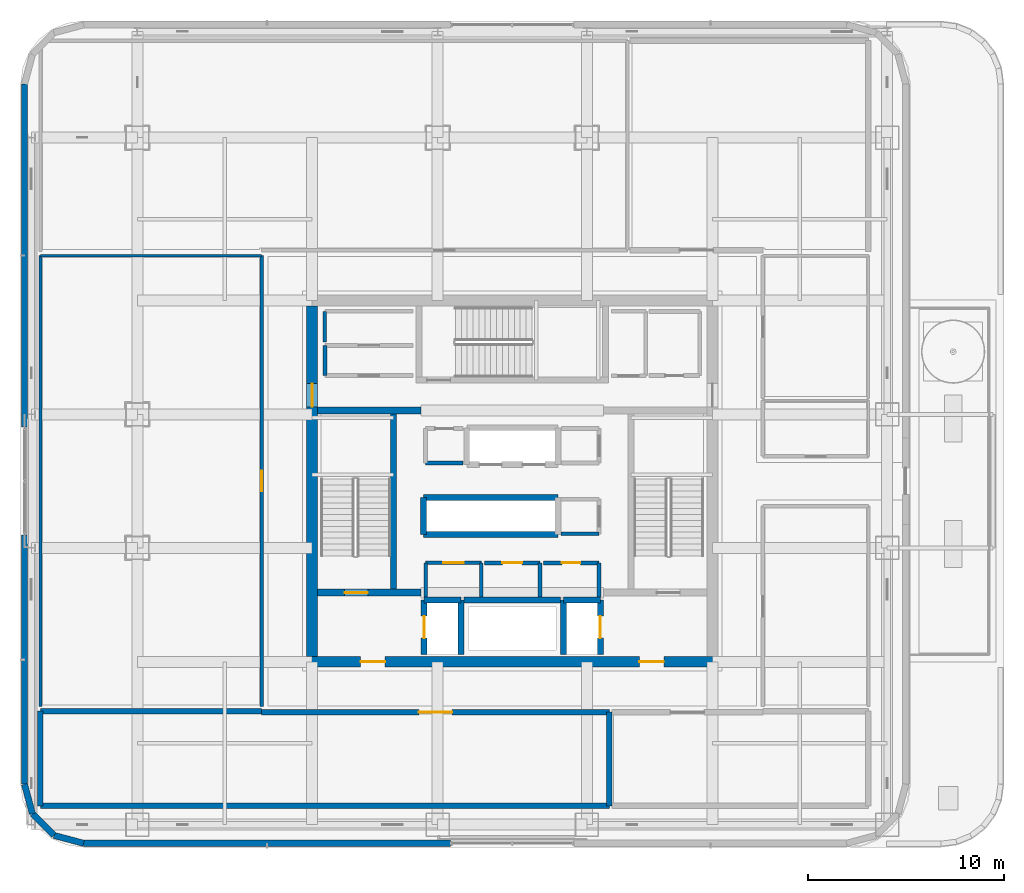
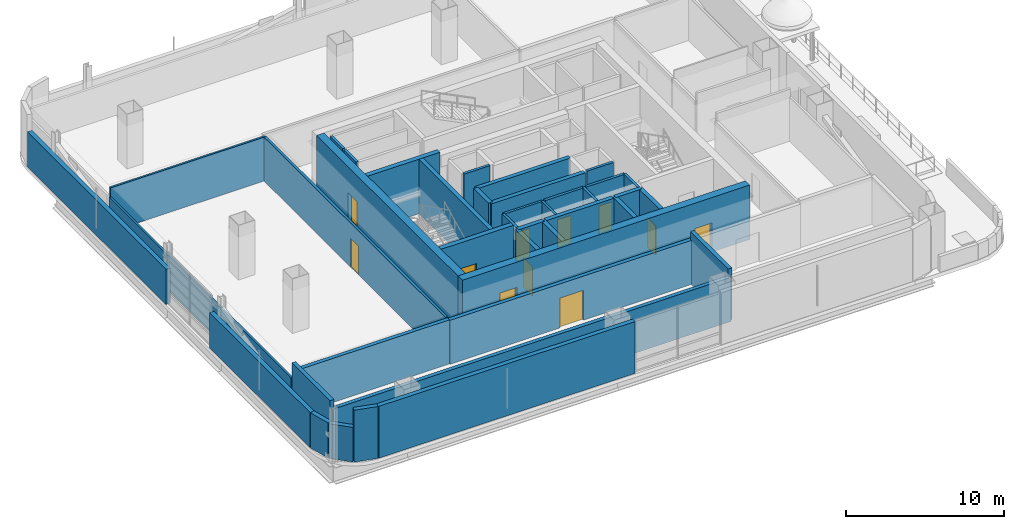
# One storey, part 12 of 31: 40 walls, 11 doors, 11 openings.
"""IFC4 building model written with IfcOpenShell, lengths in metres."""

from ifc_helpers import new_model, si_unit, direction, frame, frame_2d, origin, place, context, subcontext, project, spatial, rectangle, extrude, material, layer, layer_set, type_object, element, fill, save


model = new_model("IFC4")

# Units and contexts
model_context = context("Model", 3, precision=1e-05, world=origin(), true_north=direction((0.0, 1.0)))
body_context = subcontext(model_context, "Body", "Model", "MODEL_VIEW")
ifc_project = project(units=[si_unit("LENGTHUNIT", "METRE"), si_unit("AREAUNIT", "SQUARE_METRE"), si_unit("VOLUMEUNIT", "CUBIC_METRE"), si_unit("PLANEANGLEUNIT", "RADIAN"), si_unit("MASSUNIT", "GRAM", prefix="KILO")], contexts=[model_context])

# Site, building, storey
site_placement = place(None, origin())
site = spatial("IfcSite", under=ifc_project, at=site_placement, CompositionType="ELEMENT")
building_placement = place(site_placement, origin())
building = spatial("IfcBuilding", under=site, at=building_placement, Name="Punatoya Terracotta Tower", CompositionType="ELEMENT")
storey_placement = place(building_placement, frame((0.0, 0.0, 283.800048828125)))
storey = spatial("IfcBuildingStorey", under=building, at=storey_placement, Name="L67", CompositionType="ELEMENT", Elevation=283.800048828125)

# Wall, opening, door
ifc_material_1 = material(Name="Concrete C40/50", Category="concrete")
ifc_layer_1 = layer(ifc_material_1, 0.280029296875)
ifc_layer_set_1 = layer_set([ifc_layer_1], Name="Concrete C40/50")
wall_type_1 = type_object("IfcWallType", Name="WL-AUD-280", PredefinedType="SOLIDWALL", material=ifc_layer_set_1)
wall_1_placement = place(storey_placement, frame((-12.77001953125, -11.77001953125, 0.0), z_axis=(0.0, 0.0, 1.0), x_axis=(1.0, 0.0, 0.0)))
wall_1 = element("IfcWall", 1, at=wall_1_placement, inside=storey, type_object=wall_type_1, Name="L67 Client Dining Salon Partition 28", PredefinedType="SOLIDWALL", context=body_context, shape_type="SweptSolid", body=[
    extrude(rectangle(XDim=17.718017578125, YDim=0.280029296875, at=frame_2d((8.85888671875, 0.0))), origin(), (0.0, 0.0, 1.0), 3.39404296875),
])
opening_1_placement = place(wall_1_placement, frame((8.009033203125, 0.0, 0.0)))
opening_1 = element("IfcOpeningElement", 2, at=opening_1_placement, cuts=wall_1, Name="Opening FD-D1", PredefinedType="OPENING", context=body_context, shape_type="SweptSolid", body=[
    extrude(rectangle(XDim=1.699951171875, YDim=2.300048828125, at=frame_2d((0.85009765625, 1.14990234375))), frame((0.0, 0.14990234375, 0.0), z_axis=(0.0, -1.0, 0.0), x_axis=(1.0, 0.0, 0.0)), (0.0, 0.0, 1.0), 0.300048828125),
])
ifc_material_2 = material(Name="Timber Teak Veneer Fire Leaf", Category="wood")
door_type_1 = type_object("IfcDoorType", Name="DR-DIN-1700", OperationType="NOTDEFINED", PredefinedType="DOOR", material=ifc_material_2)
door_1_placement = place(opening_1_placement, origin())
door_1 = element("IfcDoor", 3, at=door_1_placement, inside=storey, type_object=door_type_1, Name="L67 Client Dining Salon Fire Door", OperationType="DOUBLE_DOOR_SINGLE_SWING", OverallHeight=2.300048828125, OverallWidth=1.699951171875, PredefinedType="DOOR", context=body_context, shape_type="SweptSolid", body=[
    extrude(rectangle(XDim=1.699951171875, YDim=2.300048828125, at=frame_2d((0.85009765625, 1.14990234375))), frame((0.0, 0.02490234375, 0.0), z_axis=(0.0, -1.0, 0.0), x_axis=(1.0, 0.0, 0.0)), (0.0, 0.0, 1.0), 0.050048828125),
])
fill(opening_1, door_1)

# Walls
wall_2_placement = place(storey_placement, frame((4.947998046875, -11.77001953125, 0.0), z_axis=(0.0, 0.0, 1.0), x_axis=(0.0, -1.0, 0.0)))
element("IfcWall", 4, at=wall_2_placement, inside=storey, type_object=wall_type_1, Name="L67 Client Dining Salon Partition 29", PredefinedType="SOLIDWALL", context=body_context, shape_type="SweptSolid", body=[
    extrude(rectangle(XDim=4.77001953125, YDim=0.280029296875, at=frame_2d((2.385009765625, 0.0))), origin(), (0.0, 0.0, 1.0), 4.0),
])
wall_3_placement = place(storey_placement, frame((4.947998046875, -16.5400390625, 0.0), z_axis=(0.0, 0.0, 1.0), x_axis=(-1.0, 0.0, 0.0)))
element("IfcWall", 5, at=wall_3_placement, inside=storey, type_object=wall_type_1, Name="L67 Client Dining Salon Partition 30", PredefinedType="SOLIDWALL", context=body_context, shape_type="SweptSolid", body=[
    extrude(rectangle(XDim=28.988037109375, YDim=0.280029296875, at=frame_2d((14.494140625, 0.0))), origin(), (0.0, 0.0, 1.0), 3.39404296875),
])
wall_4_placement = place(storey_placement, frame((-24.0400390625, -16.5400390625, 0.0), z_axis=(0.0, 0.0, 1.0), x_axis=(0.0, 1.0, 0.0)))
element("IfcWall", 6, at=wall_4_placement, inside=storey, type_object=wall_type_1, Name="L67 Client Dining Salon Partition 31", PredefinedType="SOLIDWALL", context=body_context, shape_type="SweptSolid", body=[
    extrude(rectangle(XDim=4.830078125, YDim=0.280029296875, at=frame_2d((2.4150390625, 0.0))), origin(), (0.0, 0.0, 1.0), 4.0),
])
wall_5_placement = place(storey_placement, frame((-24.0400390625, -11.7099609375, 0.0), z_axis=(0.0, 0.0, 1.0), x_axis=(1.0, 0.0, 0.0)))
element("IfcWall", 7, at=wall_5_placement, inside=storey, type_object=wall_type_1, Name="L67 Client Dining Salon Partition 32", PredefinedType="SOLIDWALL", context=body_context, shape_type="SweptSolid", body=[
    extrude(rectangle(XDim=11.27001953125, YDim=0.280029296875, at=frame_2d((5.635009765625, 0.0))), origin(), (0.0, 0.0, 1.0), 3.39404296875),
])

# Wall, openings, doors
ifc_material_3 = material(Name="Concrete C50/60", Category="concrete")
ifc_layer_2 = layer(ifc_material_3, 0.550048828125)
ifc_layer_set_2 = layer_set([ifc_layer_2], Name="Concrete C50/60")
wall_type_2 = type_object("IfcWallType", Name="WL-COR-550", PredefinedType="SHEAR", material=ifc_layer_set_2)
wall_6_placement = place(storey_placement, frame((10.47509765625, -9.199951171875, 0.0), z_axis=(0.0, 0.0, 1.0), x_axis=(-1.0, 0.0, 0.0)))
wall_6 = element("IfcWall", 8, at=wall_6_placement, inside=storey, type_object=wall_type_2, Name="L67 Core Shear Wall S", PredefinedType="SHEAR", context=body_context, shape_type="SweptSolid", body=[
    extrude(rectangle(XDim=20.9501953125, YDim=0.550048828125, at=frame_2d((10.47509765625, 0.0))), origin(), (0.0, 0.0, 1.0), 4.199951171875),
])
opening_2_placement = place(wall_6_placement, frame((2.75, 0.0, 0.0)))
opening_2 = element("IfcOpeningElement", 9, at=opening_2_placement, cuts=wall_6, Name="Opening FD-L1", PredefinedType="OPENING", context=body_context, shape_type="SweptSolid", body=[
    extrude(rectangle(XDim=1.25, YDim=2.25, at=frame_2d((0.625, 1.125))), frame((0.0, 0.284912109375, 0.0), z_axis=(0.0, -1.0, 0.0), x_axis=(1.0, 0.0, 0.0)), (0.0, 0.0, 1.0), 0.570068359375),
])
opening_3_placement = place(wall_6_placement, frame((16.949951171875, 0.0, 0.0)))
opening_3 = element("IfcOpeningElement", 10, at=opening_3_placement, cuts=wall_6, Name="Opening FD-L1", PredefinedType="OPENING", context=body_context, shape_type="SweptSolid", body=[
    extrude(rectangle(XDim=1.25, YDim=2.25, at=frame_2d((0.625, 1.125))), frame((0.0, 0.284912109375, 0.0), z_axis=(0.0, -1.0, 0.0), x_axis=(1.0, 0.0, 0.0)), (0.0, 0.0, 1.0), 0.570068359375),
])
ifc_material_4 = material(Name="Galvanised Steel Smokeproof Fire Door", Category="steel")
door_type_2 = type_object("IfcDoorType", Name="DR-FFL-1250", OperationType="NOTDEFINED", PredefinedType="DOOR", material=ifc_material_4)
door_2_placement = place(opening_2_placement, origin())
door_2 = element("IfcDoor", 11, at=door_2_placement, inside=storey, type_object=door_type_2, Name="L67 East Firefighting Lobby Corridor Fire Door", OperationType="SINGLE_SWING_LEFT", OverallHeight=2.25, OverallWidth=1.25, PredefinedType="DOOR", context=body_context, shape_type="SweptSolid", body=[
    extrude(rectangle(XDim=1.25, YDim=2.25, at=frame_2d((0.625, 1.125))), frame((0.0, 0.02490234375, 0.0), z_axis=(0.0, -1.0, 0.0), x_axis=(1.0, 0.0, 0.0)), (0.0, 0.0, 1.0), 0.050048828125),
])
fill(opening_2, door_2)
door_3_placement = place(opening_3_placement, origin())
door_3 = element("IfcDoor", 12, at=door_3_placement, inside=storey, type_object=door_type_2, Name="L67 West Firefighting Lobby Corridor Fire Door", OperationType="SINGLE_SWING_RIGHT", OverallHeight=2.25, OverallWidth=1.25, PredefinedType="DOOR", context=body_context, shape_type="SweptSolid", body=[
    extrude(rectangle(XDim=1.25, YDim=2.25, at=frame_2d((0.625, 1.125))), frame((0.0, 0.02490234375, 0.0), z_axis=(0.0, -1.0, 0.0), x_axis=(1.0, 0.0, 0.0)), (0.0, 0.0, 1.0), 0.050048828125),
])
fill(opening_3, door_3)

# Wall, opening, door
wall_7_placement = place(storey_placement, frame((-10.199951171875, -8.925048828125, 0.0), z_axis=(0.0, 0.0, 1.0), x_axis=(0.0, 1.0, 0.0)))
wall_7 = element("IfcWall", 13, at=wall_7_placement, inside=storey, type_object=wall_type_2, Name="L67 Core Shear Wall W", PredefinedType="SHEAR", context=body_context, shape_type="SweptSolid", body=[
    extrude(rectangle(XDim=17.85009765625, YDim=0.550048828125, at=frame_2d((8.925048828125, 0.0))), origin(), (0.0, 0.0, 1.0), 4.199951171875),
])
opening_4_placement = place(wall_7_placement, frame((12.715087890625, 0.0, 0.0)))
opening_4 = element("IfcOpeningElement", 14, at=opening_4_placement, cuts=wall_7, Name="Opening SD-01", PredefinedType="OPENING", context=body_context, shape_type="SweptSolid", body=[
    extrude(rectangle(XDim=1.179931640625, YDim=2.199951171875, at=frame_2d((0.58984375, 1.10009765625))), frame((0.0, 0.284912109375, 0.0), z_axis=(0.0, -1.0, 0.0), x_axis=(1.0, 0.0, 0.0)), (0.0, 0.0, 1.0), 0.570068359375),
])
ifc_material_5 = material(Name="Galvanised Steel Pressurized Stair Fire Door", Category="steel")
door_type_3 = type_object("IfcDoorType", Name="DR-STR-1180", OperationType="NOTDEFINED", PredefinedType="DOOR", material=ifc_material_5)
door_4_placement = place(opening_4_placement, origin())
door_4 = element("IfcDoor", 15, at=door_4_placement, inside=storey, type_object=door_type_3, Name="L67 Central Lift Lobby West Fire Door", OperationType="SINGLE_SWING_LEFT", OverallHeight=2.199951171875, OverallWidth=1.179931640625, PredefinedType="DOOR", context=body_context, shape_type="SweptSolid", body=[
    extrude(rectangle(XDim=1.179931640625, YDim=2.199951171875, at=frame_2d((0.58984375, 1.10009765625))), frame((0.0, 0.02490234375, 0.0), z_axis=(0.0, -1.0, 0.0), x_axis=(1.0, 0.0, 0.0)), (0.0, 0.0, 1.0), 0.050048828125),
])
fill(opening_4, door_4)

# Wall
ifc_material_6 = material(Name="Gypsum Fireboard + Steel Stud", Category="steel")
ifc_layer_3 = layer(ifc_material_6, 0.179931640625)
ifc_layer_set_3 = layer_set([ifc_layer_3], Name="Gypsum Fireboard + Steel Stud")
wall_type_3 = type_object("IfcWallType", Name="WL-CORR-180", PredefinedType="PARTITIONING", material=ifc_layer_set_3)
wall_8_placement = place(storey_placement, frame((-1.580078125, -5.89990234375, 0.0), z_axis=(0.0, 0.0, 1.0), x_axis=(0.0, 1.0, 0.0)))
element("IfcWall", 16, at=wall_8_placement, inside=storey, type_object=wall_type_3, Name="L67 Core Quiet Wellness Room Partition 01", PredefinedType="PARTITIONING", context=body_context, shape_type="SweptSolid", body=[
    extrude(rectangle(XDim=1.739990234375, YDim=0.179931640625, at=frame_2d((0.8701171875, 0.0))), origin(), (0.0, 0.0, 1.0), 4.0),
])

# Wall, opening, door
wall_9_placement = place(storey_placement, frame((-1.580078125, -4.159912109375, 0.0), z_axis=(0.0, 0.0, 1.0), x_axis=(-1.0, 0.0, 0.0)))
wall_9 = element("IfcWall", 17, at=wall_9_placement, inside=storey, type_object=wall_type_3, Name="L67 Core Quiet Wellness Room Partition 02", PredefinedType="PARTITIONING", context=body_context, shape_type="SweptSolid", body=[
    extrude(rectangle(XDim=2.83984375, YDim=0.179931640625, at=frame_2d((1.419921875, 0.0))), origin(), (0.0, 0.0, 1.0), 4.0),
])
opening_5_placement = place(wall_9_placement, frame((0.89501953125, 0.0, 0.0)))
opening_5 = element("IfcOpeningElement", 18, at=opening_5_placement, cuts=wall_9, Name="Opening OD-01", PredefinedType="OPENING", context=body_context, shape_type="SweptSolid", body=[
    extrude(rectangle(XDim=1.050048828125, YDim=2.199951171875, at=frame_2d((0.52490234375, 1.10009765625))), frame((0.0, 0.099853515625, 0.0), z_axis=(0.0, -1.0, 0.0), x_axis=(1.0, 0.0, 0.0)), (0.0, 0.0, 1.0), 0.199951171875),
])
ifc_material_7 = material(Name="Bengal Teak Solid-Core Leaf")
door_type_4 = type_object("IfcDoorType", Name="DR-OFF-1050", OperationType="NOTDEFINED", PredefinedType="DOOR", material=ifc_material_7)
door_5_placement = place(opening_5_placement, origin())
door_5 = element("IfcDoor", 19, at=door_5_placement, inside=storey, type_object=door_type_4, Name="L67 Quiet Wellness Room Door", OperationType="SINGLE_SWING_LEFT", OverallHeight=2.199951171875, OverallWidth=1.050048828125, PredefinedType="DOOR", context=body_context, shape_type="SweptSolid", body=[
    extrude(rectangle(XDim=1.050048828125, YDim=2.199951171875, at=frame_2d((0.52490234375, 1.10009765625))), frame((0.0, 0.02490234375, 0.0), z_axis=(0.0, -1.0, 0.0), x_axis=(1.0, 0.0, 0.0)), (0.0, 0.0, 1.0), 0.050048828125),
])
fill(opening_5, door_5)

# Walls
wall_10_placement = place(storey_placement, frame((-4.419921875, -4.159912109375, 0.0), z_axis=(0.0, 0.0, 1.0), x_axis=(0.0, -1.0, 0.0)))
element("IfcWall", 20, at=wall_10_placement, inside=storey, type_object=wall_type_3, Name="L67 Core Quiet Wellness Room Partition 03", PredefinedType="PARTITIONING", context=body_context, shape_type="SweptSolid", body=[
    extrude(rectangle(XDim=1.739990234375, YDim=0.179931640625, at=frame_2d((0.8701171875, 0.0))), origin(), (0.0, 0.0, 1.0), 4.0),
])
wall_11_placement = place(storey_placement, frame((-9.550048828125, 8.64990234375, 0.0), z_axis=(0.0, 0.0, 1.0), x_axis=(0.0, -1.0, 0.0)))
element("IfcWall", 21, at=wall_11_placement, inside=storey, type_object=wall_type_3, Name="L67 West Core Copy Room Partition 21", PredefinedType="PARTITIONING", context=body_context, shape_type="SweptSolid", body=[
    extrude(rectangle(XDim=1.56982421875, YDim=0.179931640625, at=frame_2d((0.784912109375, 0.0))), origin(), (0.0, 0.0, 1.0), 4.0),
])

# Wall, opening, door
wall_12_placement = place(storey_placement, frame((-12.77001953125, 11.489990234375, 0.0), z_axis=(0.0, 0.0, 1.0), x_axis=(0.0, -1.0, 0.0)))
wall_12 = element("IfcWall", 22, at=wall_12_placement, inside=storey, type_object=wall_type_3, Name="L67 Visitor Reception Salon Partition 42", PredefinedType="PARTITIONING", context=body_context, shape_type="SweptSolid", body=[
    extrude(rectangle(XDim=22.97998046875, YDim=0.179931640625, at=frame_2d((11.489990234375, 0.0))), origin(), (0.0, 0.0, 1.0), 3.39404296875),
])
opening_6_placement = place(wall_12_placement, frame((10.965087890625, 0.0, 0.0)))
opening_6 = element("IfcOpeningElement", 23, at=opening_6_placement, cuts=wall_12, Name="Opening OD-01", PredefinedType="OPENING", context=body_context, shape_type="SweptSolid", body=[
    extrude(rectangle(XDim=1.050048828125, YDim=2.199951171875, at=frame_2d((0.52490234375, 1.10009765625))), frame((0.0, 0.099853515625, 0.0), z_axis=(0.0, -1.0, 0.0), x_axis=(1.0, 0.0, 0.0)), (0.0, 0.0, 1.0), 0.199951171875),
])
door_6_placement = place(opening_6_placement, origin())
door_6 = element("IfcDoor", 24, at=door_6_placement, inside=storey, type_object=door_type_4, Name="L67 Visitor Reception Salon Door", OperationType="SINGLE_SWING_RIGHT", OverallHeight=2.199951171875, OverallWidth=1.050048828125, PredefinedType="DOOR", context=body_context, shape_type="SweptSolid", body=[
    extrude(rectangle(XDim=1.050048828125, YDim=2.199951171875, at=frame_2d((0.52490234375, 1.10009765625))), frame((0.0, 0.02490234375, 0.0), z_axis=(0.0, -1.0, 0.0), x_axis=(1.0, 0.0, 0.0)), (0.0, 0.0, 1.0), 0.050048828125),
])
fill(opening_6, door_6)

# Walls
ifc_material_8 = material(Name="Precast concrete C40/50", Category="concrete")
ifc_layer_4 = layer(ifc_material_8, 0.320068359375)
ifc_layer_set_4 = layer_set([ifc_layer_4], Name="Precast concrete C40/50")
wall_type_4 = type_object("IfcWallType", Name="WL-EXT-320", PredefinedType="SOLIDWALL", material=ifc_layer_set_4)
wall_13_placement = place(storey_placement, frame((-21.8369140625, -18.449951171875, 0.0), z_axis=(0.0, 0.0, 1.0), x_axis=(1.0, 0.0, 0.0)))
element("IfcWall", 25, at=wall_13_placement, inside=storey, type_object=wall_type_4, Name="L67 Terracotta Braced Facade Wall S1", PredefinedType="SOLIDWALL", context=body_context, shape_type="SweptSolid", body=[
    extrude(rectangle(XDim=18.68701171875, YDim=0.320068359375, at=frame_2d((9.343505859375, 0.0))), origin(), (0.0, 0.0, 1.0), 4.0),
])
wall_14_placement = place(storey_placement, frame((-24.85009765625, 20.23681640625, 0.0), z_axis=(0.0, 0.0, 1.0), x_axis=(0.0, -1.0, 0.0)))
element("IfcWall", 26, at=wall_14_placement, inside=storey, type_object=wall_type_4, Name="L67 Terracotta Braced Facade Wall W1", PredefinedType="SOLIDWALL", context=body_context, shape_type="SweptSolid", body=[
    extrude(rectangle(XDim=17.48681640625, YDim=0.320068359375, at=frame_2d((8.743408203125, 0.0))), origin(), (0.0, 0.0, 1.0), 2.7138671875),
])
wall_15_placement = place(storey_placement, frame((-24.85009765625, -2.75, 0.0), z_axis=(0.0, 0.0, 1.0), x_axis=(0.0, -1.0, 0.0)))
element("IfcWall", 27, at=wall_15_placement, inside=storey, type_object=wall_type_4, Name="L67 Terracotta Braced Facade Wall W2", PredefinedType="SOLIDWALL", context=body_context, shape_type="SweptSolid", body=[
    extrude(rectangle(XDim=12.68701171875, YDim=0.320068359375, at=frame_2d((6.343505859375, 0.0))), origin(), (0.0, 0.0, 1.0), 2.7138671875),
])
wall_16_placement = place(storey_placement, frame((-24.85009765625, -15.43701171875, 0.0), z_axis=(0.0, 0.0, 1.0), x_axis=(0.257847112249, -0.966185730957, 0.0)))
element("IfcWall", 28, at=wall_16_placement, inside=storey, type_object=wall_type_4, Name="L67 Rounded Terracotta Corner Pier 14", PredefinedType="SOLIDWALL", context=body_context, shape_type="SweptSolid", body=[
    extrude(rectangle(XDim=1.565185546875, YDim=0.320068359375, at=frame_2d((0.78271484375, 0.0))), origin(), (0.0, 0.0, 1.0), 2.7138671875),
])
wall_17_placement = place(storey_placement, frame((-24.446533203125, -16.94921875, 0.0), z_axis=(0.0, 0.0, 1.0), x_axis=(0.707106781187, -0.707106781187, 0.0)))
element("IfcWall", 29, at=wall_17_placement, inside=storey, type_object=wall_type_4, Name="L67 Rounded Terracotta Corner Pier 15", PredefinedType="SOLIDWALL", context=body_context, shape_type="SweptSolid", body=[
    extrude(rectangle(XDim=1.552001953125, YDim=0.320068359375, at=frame_2d((0.77587890625, 0.0))), origin(), (0.0, 0.0, 1.0), 2.674072265625),
])
wall_18_placement = place(storey_placement, frame((-23.34912109375, -18.046630859375, 0.0), z_axis=(0.0, 0.0, 1.0), x_axis=(0.966224582397, -0.257701486942, 0.0)))
element("IfcWall", 30, at=wall_18_placement, inside=storey, type_object=wall_type_4, Name="L67 Rounded Terracotta Corner Pier 16", PredefinedType="SOLIDWALL", context=body_context, shape_type="SweptSolid", body=[
    extrude(rectangle(XDim=1.565185546875, YDim=0.320068359375, at=frame_2d((0.78271484375, 0.0))), origin(), (0.0, 0.0, 1.0), 4.0),
])
ifc_layer_5 = layer(ifc_material_1, 0.199951171875)
ifc_layer_set_5 = layer_set([ifc_layer_5], Name="Concrete C40/50")
wall_type_5 = type_object("IfcWallType", Name="WL-INT-200", PredefinedType="SOLIDWALL", material=ifc_layer_set_5)
wall_19_placement = place(storey_placement, frame((1.419921875, -5.89990234375, 0.0), z_axis=(0.0, 0.0, 1.0), x_axis=(0.0, 1.0, 0.0)))
element("IfcWall", 31, at=wall_19_placement, inside=storey, type_object=wall_type_5, Name="L67 Accessible Universal Washroom Partition 04", PredefinedType="SOLIDWALL", context=body_context, shape_type="SweptSolid", body=[
    extrude(rectangle(XDim=1.739990234375, YDim=0.199951171875, at=frame_2d((0.8701171875, 0.0))), origin(), (0.0, 0.0, 1.0), 4.0),
])

# Wall, opening, door
wall_20_placement = place(storey_placement, frame((1.419921875, -4.159912109375, 0.0), z_axis=(0.0, 0.0, 1.0), x_axis=(-1.0, 0.0, 0.0)))
wall_20 = element("IfcWall", 32, at=wall_20_placement, inside=storey, type_object=wall_type_5, Name="L67 Accessible Universal Washroom Partition 05", PredefinedType="SOLIDWALL", context=body_context, shape_type="SweptSolid", body=[
    extrude(rectangle(XDim=2.83984375, YDim=0.199951171875, at=frame_2d((1.419921875, 0.0))), origin(), (0.0, 0.0, 1.0), 4.0),
])
opening_7_placement = place(wall_20_placement, frame((0.919921875, 0.0, 0.0)))
opening_7 = element("IfcOpeningElement", 33, at=opening_7_placement, cuts=wall_20, Name="Opening AWD-1", PredefinedType="OPENING", context=body_context, shape_type="SweptSolid", body=[
    extrude(rectangle(XDim=1.0, YDim=2.14990234375, at=frame_2d((0.5, 1.074951171875))), frame((0.0, 0.10986328125, 0.0), z_axis=(0.0, -1.0, 0.0), x_axis=(1.0, 0.0, 0.0)), (0.0, 0.0, 1.0), 0.219970703125),
])
ifc_material_9 = material(Name="Bengal Teak Accessible WC Leaf")
door_type_5 = type_object("IfcDoorType", Name="DR-ACC-1000", OperationType="NOTDEFINED", PredefinedType="DOOR", material=ifc_material_9)
door_7_placement = place(opening_7_placement, origin())
door_7 = element("IfcDoor", 34, at=door_7_placement, inside=storey, type_object=door_type_5, Name="L67 Accessible Universal Washroom Door", OperationType="SINGLE_SWING_RIGHT", OverallHeight=2.14990234375, OverallWidth=1.0, PredefinedType="DOOR", context=body_context, shape_type="SweptSolid", body=[
    extrude(rectangle(XDim=1.0, YDim=2.14990234375, at=frame_2d((0.5, 1.074951171875))), frame((0.0, 0.02490234375, 0.0), z_axis=(0.0, -1.0, 0.0), x_axis=(1.0, 0.0, 0.0)), (0.0, 0.0, 1.0), 0.050048828125),
])
fill(opening_7, door_7)

# Wall
wall_21_placement = place(storey_placement, frame((4.419921875, -5.89990234375, 0.0), z_axis=(0.0, 0.0, 1.0), x_axis=(0.0, 1.0, 0.0)))
element("IfcWall", 35, at=wall_21_placement, inside=storey, type_object=wall_type_5, Name="L67 All-Gender Washroom Partition 06", PredefinedType="SOLIDWALL", context=body_context, shape_type="SweptSolid", body=[
    extrude(rectangle(XDim=1.739990234375, YDim=0.199951171875, at=frame_2d((0.8701171875, 0.0))), origin(), (0.0, 0.0, 1.0), 4.0),
])

# Wall, opening, door
wall_22_placement = place(storey_placement, frame((4.419921875, -4.159912109375, 0.0), z_axis=(0.0, 0.0, 1.0), x_axis=(-1.0, 0.0, 0.0)))
wall_22 = element("IfcWall", 36, at=wall_22_placement, inside=storey, type_object=wall_type_5, Name="L67 All-Gender Washroom Partition 07", PredefinedType="SOLIDWALL", context=body_context, shape_type="SweptSolid", body=[
    extrude(rectangle(XDim=2.83984375, YDim=0.199951171875, at=frame_2d((1.419921875, 0.0))), origin(), (0.0, 0.0, 1.0), 4.0),
])
opening_8_placement = place(wall_22_placement, frame((0.945068359375, 0.0, 0.0)))
opening_8 = element("IfcOpeningElement", 37, at=opening_8_placement, cuts=wall_22, Name="Opening WD-01", PredefinedType="OPENING", context=body_context, shape_type="SweptSolid", body=[
    extrude(rectangle(XDim=0.949951171875, YDim=2.14990234375, at=frame_2d((0.47509765625, 1.074951171875))), frame((0.0, 0.10986328125, 0.0), z_axis=(0.0, -1.0, 0.0), x_axis=(1.0, 0.0, 0.0)), (0.0, 0.0, 1.0), 0.219970703125),
])
ifc_material_10 = material(Name="Moisture-Resistant Laminate Timber Leaf", Category="wood")
door_type_6 = type_object("IfcDoorType", Name="DR-WC-950", OperationType="NOTDEFINED", PredefinedType="DOOR", material=ifc_material_10)
door_8_placement = place(opening_8_placement, origin())
door_8 = element("IfcDoor", 38, at=door_8_placement, inside=storey, type_object=door_type_6, Name="L67 All-Gender Washroom Door", OperationType="SINGLE_SWING_LEFT", OverallHeight=2.14990234375, OverallWidth=0.949951171875, PredefinedType="DOOR", context=body_context, shape_type="SweptSolid", body=[
    extrude(rectangle(XDim=0.949951171875, YDim=2.14990234375, at=frame_2d((0.47509765625, 1.074951171875))), frame((0.0, 0.02490234375, 0.0), z_axis=(0.0, -1.0, 0.0), x_axis=(1.0, 0.0, 0.0)), (0.0, 0.0, 1.0), 0.050048828125),
])
fill(opening_8, door_8)

# Walls
wall_23_placement = place(storey_placement, frame((2.47998046875, -2.679931640625, 0.0), z_axis=(0.0, 0.0, 1.0), x_axis=(1.0, 0.0, 0.0)))
element("IfcWall", 39, at=wall_23_placement, inside=storey, type_object=wall_type_5, Name="L67 East Core Tea Pantry Partition 10", PredefinedType="SOLIDWALL", context=body_context, shape_type="SweptSolid", body=[
    extrude(rectangle(XDim=1.93994140625, YDim=0.199951171875, at=frame_2d((0.969970703125, 0.0))), origin(), (0.0, 0.0, 1.0), 4.0),
])
wall_24_placement = place(storey_placement, frame((-4.419921875, 0.919921875, 0.0), z_axis=(0.0, 0.0, 1.0), x_axis=(1.0, 0.0, 0.0)))
element("IfcWall", 40, at=wall_24_placement, inside=storey, type_object=wall_type_5, Name="L67 Core Security Equipment Closet Partition 13", PredefinedType="SOLIDWALL", context=body_context, shape_type="SweptSolid", body=[
    extrude(rectangle(XDim=1.919921875, YDim=0.199951171875, at=frame_2d((0.9599609375, 0.0))), origin(), (0.0, 0.0, 1.0), 4.0),
])
wall_25_placement = place(storey_placement, frame((-9.550048828125, 6.919921875, 0.0), z_axis=(0.0, 0.0, 1.0), x_axis=(0.0, -1.0, 0.0)))
element("IfcWall", 41, at=wall_25_placement, inside=storey, type_object=wall_type_5, Name="L67 West Core Tea Pantry Partition 18", PredefinedType="SOLIDWALL", context=body_context, shape_type="SweptSolid", body=[
    extrude(rectangle(XDim=1.5400390625, YDim=0.199951171875, at=frame_2d((0.77001953125, 0.0))), origin(), (0.0, 0.0, 1.0), 4.0),
])
ifc_material_11 = material(Name="Acoustic Gypsum + Steel Stud", Category="steel")
ifc_layer_6 = layer(ifc_material_11, 0.139892578125)
ifc_layer_set_6 = layer_set([ifc_layer_6], Name="Acoustic Gypsum + Steel Stud")
wall_type_6 = type_object("IfcWallType", Name="WL-OFF-140", PredefinedType="PARTITIONING", material=ifc_layer_set_6)
wall_26_placement = place(storey_placement, frame((-24.0400390625, -11.489990234375, 0.0), z_axis=(0.0, 0.0, 1.0), x_axis=(0.0, 1.0, 0.0)))
element("IfcWall", 42, at=wall_26_placement, inside=storey, type_object=wall_type_6, Name="L67 Visitor Reception Salon Partition 40", PredefinedType="PARTITIONING", context=body_context, shape_type="SweptSolid", body=[
    extrude(rectangle(XDim=22.97998046875, YDim=0.139892578125, at=frame_2d((11.489990234375, 0.0))), origin(), (0.0, 0.0, 1.0), 2.674072265625),
])
wall_27_placement = place(storey_placement, frame((-24.0400390625, 11.489990234375, 0.0), z_axis=(0.0, 0.0, 1.0), x_axis=(1.0, 0.0, 0.0)))
element("IfcWall", 43, at=wall_27_placement, inside=storey, type_object=wall_type_6, Name="L67 Visitor Reception Salon Partition 41", PredefinedType="PARTITIONING", context=body_context, shape_type="SweptSolid", body=[
    extrude(rectangle(XDim=11.27001953125, YDim=0.139892578125, at=frame_2d((5.635009765625, 0.0))), origin(), (0.0, 0.0, 1.0), 3.39404296875),
])
ifc_layer_7 = layer(ifc_material_1, 0.300048828125)
ifc_layer_set_7 = layer_set([ifc_layer_7], Name="Concrete C40/50")
wall_type_7 = type_object("IfcWallType", Name="WL-SHF-300", PredefinedType="SOLIDWALL", material=ifc_layer_set_7)
wall_28_placement = place(storey_placement, frame((-6.050048828125, -5.5, 0.0), z_axis=(0.0, 0.0, 1.0), x_axis=(0.0, 1.0, 0.0)))
element("IfcWall", 44, at=wall_28_placement, inside=storey, type_object=wall_type_7, Name="L67 Structural Stair Shaft Wall SW-ST1-E", PredefinedType="SOLIDWALL", context=body_context, shape_type="SweptSolid", body=[
    extrude(rectangle(XDim=8.949951171875, YDim=0.300048828125, at=frame_2d((4.47509765625, 0.0))), origin(), (0.0, 0.0, 1.0), 4.199951171875),
])

# Wall, opening, door
wall_29_placement = place(storey_placement, frame((-4.489990234375, -8.820068359375, 0.0), z_axis=(0.0, 0.0, 1.0), x_axis=(0.0, 1.0, 0.0)))
wall_29 = element("IfcWall", 45, at=wall_29_placement, inside=storey, type_object=wall_type_7, Name="L67 FFL-1 Front Hoistway Wall", PredefinedType="SOLIDWALL", context=body_context, shape_type="SweptSolid", body=[
    extrude(rectangle(XDim=2.77001953125, YDim=0.300048828125, at=frame_2d((1.385009765625, 0.0))), origin(), (0.0, 0.0, 1.0), 4.0),
])
opening_9_placement = place(wall_29_placement, frame((0.824951171875, 0.0, 0.0)))
opening_9 = element("IfcOpeningElement", 46, at=opening_9_placement, cuts=wall_29, Name="Opening LD-02", PredefinedType="OPENING", context=body_context, shape_type="SweptSolid", body=[
    extrude(rectangle(XDim=1.1201171875, YDim=2.25, at=frame_2d((0.56005859375, 1.125))), frame((0.0, 0.159912109375, 0.0), z_axis=(0.0, -1.0, 0.0), x_axis=(1.0, 0.0, 0.0)), (0.0, 0.0, 1.0), 0.320068359375),
])
ifc_material_12 = material(Name="Stainless Steel Lift Landing Door", Category="steel")
door_type_7 = type_object("IfcDoorType", Name="DR-LND-1120", OperationType="NOTDEFINED", PredefinedType="DOOR", material=ifc_material_12)
door_9_placement = place(opening_9_placement, origin())
door_9 = element("IfcDoor", 47, at=door_9_placement, inside=storey, type_object=door_type_7, Name="L67 Firefighting Lift FFL-1 Sliding Landing Door", OperationType="SLIDING_TO_LEFT", OverallHeight=2.25, OverallWidth=1.1201171875, PredefinedType="DOOR", context=body_context, shape_type="SweptSolid", body=[
    extrude(rectangle(XDim=1.1201171875, YDim=2.25, at=frame_2d((0.56005859375, 1.125))), frame((0.0, 0.02490234375, 0.0), z_axis=(0.0, -1.0, 0.0), x_axis=(1.0, 0.0, 0.0)), (0.0, 0.0, 1.0), 0.050048828125),
])
fill(opening_9, door_9)

# Walls
wall_30_placement = place(storey_placement, frame((-2.610107421875, -8.820068359375, 0.0), z_axis=(0.0, 0.0, 1.0), x_axis=(0.0, 1.0, 0.0)))
element("IfcWall", 48, at=wall_30_placement, inside=storey, type_object=wall_type_7, Name="L67 FFL-1 Rear Hoistway Wall", PredefinedType="SOLIDWALL", context=body_context, shape_type="SweptSolid", body=[
    extrude(rectangle(XDim=2.77001953125, YDim=0.300048828125, at=frame_2d((1.385009765625, 0.0))), origin(), (0.0, 0.0, 1.0), 4.0),
])
wall_31_placement = place(storey_placement, frame((-4.489990234375, -6.050048828125, 0.0), z_axis=(0.0, 0.0, 1.0), x_axis=(1.0, 0.0, 0.0)))
element("IfcWall", 49, at=wall_31_placement, inside=storey, type_object=wall_type_7, Name="L67 FFL-1 North Hoistway Wall", PredefinedType="SOLIDWALL", context=body_context, shape_type="SweptSolid", body=[
    extrude(rectangle(XDim=1.8798828125, YDim=0.300048828125, at=frame_2d((0.93994140625, 0.0))), origin(), (0.0, 0.0, 1.0), 4.0),
])

# Wall, opening, door
wall_32_placement = place(storey_placement, frame((4.489990234375, -8.820068359375, 0.0), z_axis=(0.0, 0.0, 1.0), x_axis=(0.0, 1.0, 0.0)))
wall_32 = element("IfcWall", 50, at=wall_32_placement, inside=storey, type_object=wall_type_7, Name="L67 FFL-2 Front Hoistway Wall", PredefinedType="SOLIDWALL", context=body_context, shape_type="SweptSolid", body=[
    extrude(rectangle(XDim=2.77001953125, YDim=0.300048828125, at=frame_2d((1.385009765625, 0.0))), origin(), (0.0, 0.0, 1.0), 4.0),
])
opening_10_placement = place(wall_32_placement, frame((0.824951171875, 0.0, 0.0)))
opening_10 = element("IfcOpeningElement", 51, at=opening_10_placement, cuts=wall_32, Name="Opening LD-02", PredefinedType="OPENING", context=body_context, shape_type="SweptSolid", body=[
    extrude(rectangle(XDim=1.1201171875, YDim=2.25, at=frame_2d((0.56005859375, 1.125))), frame((0.0, 0.159912109375, 0.0), z_axis=(0.0, -1.0, 0.0), x_axis=(1.0, 0.0, 0.0)), (0.0, 0.0, 1.0), 0.320068359375),
])
door_10_placement = place(opening_10_placement, origin())
door_10 = element("IfcDoor", 52, at=door_10_placement, inside=storey, type_object=door_type_7, Name="L67 Firefighting Lift FFL-2 Sliding Landing Door", OperationType="SLIDING_TO_RIGHT", OverallHeight=2.25, OverallWidth=1.1201171875, PredefinedType="DOOR", context=body_context, shape_type="SweptSolid", body=[
    extrude(rectangle(XDim=1.1201171875, YDim=2.25, at=frame_2d((0.56005859375, 1.125))), frame((0.0, 0.02490234375, 0.0), z_axis=(0.0, -1.0, 0.0), x_axis=(1.0, 0.0, 0.0)), (0.0, 0.0, 1.0), 0.050048828125),
])
fill(opening_10, door_10)

# Walls
wall_33_placement = place(storey_placement, frame((2.610107421875, -8.820068359375, 0.0), z_axis=(0.0, 0.0, 1.0), x_axis=(0.0, 1.0, 0.0)))
element("IfcWall", 53, at=wall_33_placement, inside=storey, type_object=wall_type_7, Name="L67 FFL-2 Rear Hoistway Wall", PredefinedType="SOLIDWALL", context=body_context, shape_type="SweptSolid", body=[
    extrude(rectangle(XDim=2.77001953125, YDim=0.300048828125, at=frame_2d((1.385009765625, 0.0))), origin(), (0.0, 0.0, 1.0), 4.0),
])
wall_34_placement = place(storey_placement, frame((2.610107421875, -6.050048828125, 0.0), z_axis=(0.0, 0.0, 1.0), x_axis=(1.0, 0.0, 0.0)))
element("IfcWall", 54, at=wall_34_placement, inside=storey, type_object=wall_type_7, Name="L67 FFL-2 North Hoistway Wall", PredefinedType="SOLIDWALL", context=body_context, shape_type="SweptSolid", body=[
    extrude(rectangle(XDim=1.8798828125, YDim=0.300048828125, at=frame_2d((0.93994140625, 0.0))), origin(), (0.0, 0.0, 1.0), 4.0),
])
for number, where, z_axis, x_axis, name in (
    (55, (-4.52001953125, -0.840087890625, 0.0), (0.0, 0.0, 1.0), (1.0, 0.0, 0.0), "L67 South Lift Bank Front Shaft Wall"),
    (56, (-4.52001953125, -2.719970703125, 0.0), (0.0, 0.0, 1.0), (1.0, 0.0, 0.0), "L67 South Lift Bank Rear Shaft Wall"),
):
    element("IfcWall", number, at=place(storey_placement, frame(where, z_axis=z_axis, x_axis=x_axis)), inside=storey, type_object=wall_type_7, Name=name, PredefinedType="SOLIDWALL", context=body_context, shape_type="SweptSolid", body=[
        extrude(rectangle(XDim=6.840087890625, YDim=0.300048828125, at=frame_2d((3.419921875, 0.0))), origin(), (0.0, 0.0, 1.0), 4.0),
    ])
wall_35_placement = place(storey_placement, frame((-4.52001953125, -2.719970703125, 0.0), z_axis=(0.0, 0.0, 1.0), x_axis=(0.0, 1.0, 0.0)))
element("IfcWall", 57, at=wall_35_placement, inside=storey, type_object=wall_type_7, Name="L67 South Lift Bank West End Wall", PredefinedType="SOLIDWALL", context=body_context, shape_type="SweptSolid", body=[
    extrude(rectangle(XDim=1.8798828125, YDim=0.300048828125, at=frame_2d((0.93994140625, 0.0))), origin(), (0.0, 0.0, 1.0), 4.0),
])
wall_36_placement = place(storey_placement, frame((-2.449951171875, -6.050048828125, 0.0), z_axis=(0.0, 0.0, 1.0), x_axis=(1.0, 0.0, 0.0)))
element("IfcWall", 58, at=wall_36_placement, inside=storey, type_object=wall_type_7, Name="L67 Observation Shuttle Rear Hoistway Wall", PredefinedType="SOLIDWALL", context=body_context, shape_type="SweptSolid", body=[
    extrude(rectangle(XDim=4.89990234375, YDim=0.300048828125, at=frame_2d((2.449951171875, 0.0))), origin(), (0.0, 0.0, 1.0), 4.0),
])

# Wall, opening, door
ifc_layer_8 = layer(ifc_material_3, 0.35009765625)
ifc_layer_set_8 = layer_set([ifc_layer_8], Name="Concrete C50/60")
wall_type_8 = type_object("IfcWallType", Name="WL-SHF-350", PredefinedType="SOLIDWALL", material=ifc_layer_set_8)
wall_37_placement = place(storey_placement, frame((-9.925048828125, -5.679931640625, 0.0), z_axis=(0.0, 0.0, 1.0), x_axis=(1.0, 0.0, 0.0)))
wall_37 = element("IfcWall", 59, at=wall_37_placement, inside=storey, type_object=wall_type_8, Name="L67 Core Web Wall CSW-L", PredefinedType="SOLIDWALL", context=body_context, shape_type="SweptSolid", body=[
    extrude(rectangle(XDim=5.275146484375, YDim=0.35009765625, at=frame_2d((2.6376953125, 0.0))), origin(), (0.0, 0.0, 1.0), 4.199951171875),
])
opening_11_placement = place(wall_37_placement, frame((1.385009765625, 0.0, 0.0)))
opening_11 = element("IfcOpeningElement", 60, at=opening_11_placement, cuts=wall_37, Name="Opening SD-01", PredefinedType="OPENING", context=body_context, shape_type="SweptSolid", body=[
    extrude(rectangle(XDim=1.179931640625, YDim=2.199951171875, at=frame_2d((0.58984375, 1.10009765625))), frame((0.0, 0.18505859375, 0.0), z_axis=(0.0, -1.0, 0.0), x_axis=(1.0, 0.0, 0.0)), (0.0, 0.0, 1.0), 0.3701171875),
])
door_11_placement = place(opening_11_placement, origin())
door_11 = element("IfcDoor", 61, at=door_11_placement, inside=storey, type_object=door_type_3, Name="L67 Stair ST-1 Smokeproof Lobby Fire Door", OperationType="SINGLE_SWING_LEFT", OverallHeight=2.199951171875, OverallWidth=1.179931640625, PredefinedType="DOOR", context=body_context, shape_type="SweptSolid", body=[
    extrude(rectangle(XDim=1.179931640625, YDim=2.199951171875, at=frame_2d((0.58984375, 1.10009765625))), frame((0.0, 0.02490234375, 0.0), z_axis=(0.0, -1.0, 0.0), x_axis=(1.0, 0.0, 0.0)), (0.0, 0.0, 1.0), 0.050048828125),
])
fill(opening_11, door_11)

# Wall
wall_38_placement = place(storey_placement, frame((-9.925048828125, 3.60009765625, 0.0), z_axis=(0.0, 0.0, 1.0), x_axis=(1.0, 0.0, 0.0)))
element("IfcWall", 62, at=wall_38_placement, inside=storey, type_object=wall_type_8, Name="L67 Core Web Wall CNW-L", PredefinedType="SOLIDWALL", context=body_context, shape_type="SweptSolid", body=[
    extrude(rectangle(XDim=5.275146484375, YDim=0.35009765625, at=frame_2d((2.6376953125, 0.0))), origin(), (0.0, 0.0, 1.0), 4.199951171875),
])

save(model, "model.ifc")
